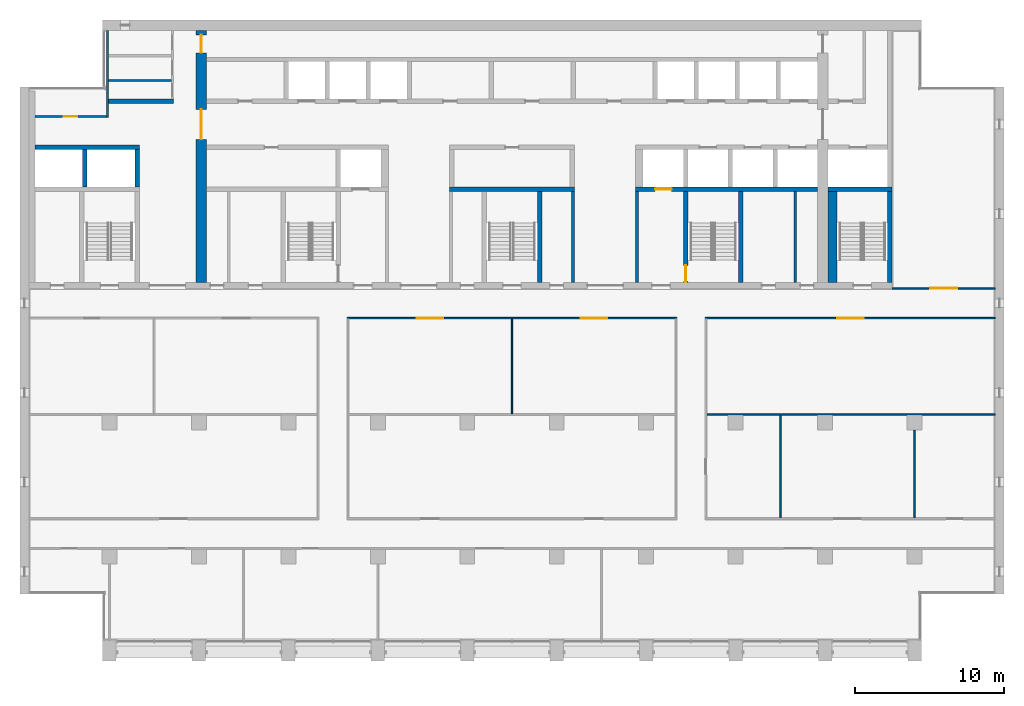
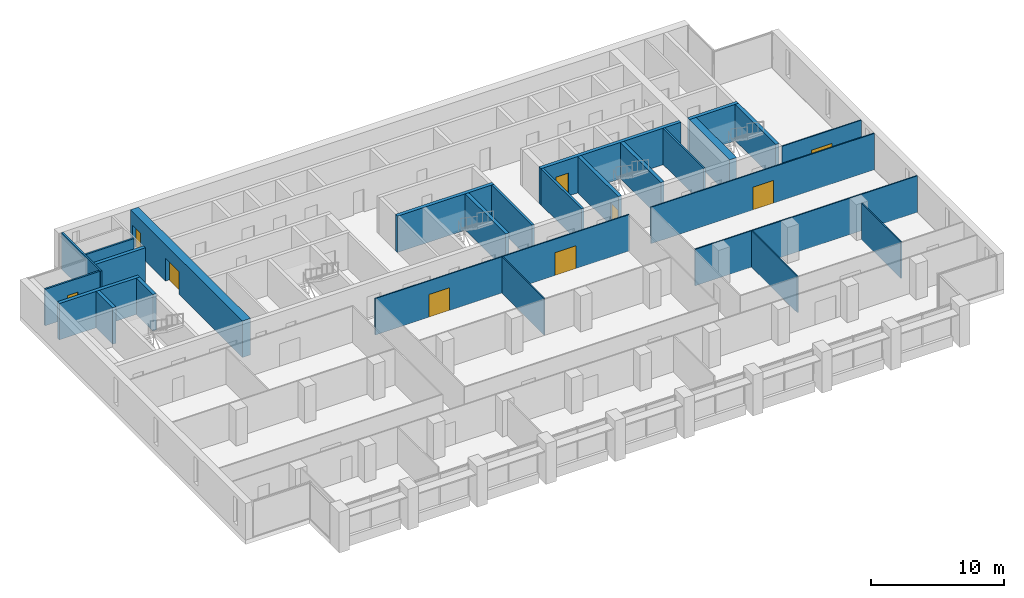
# One storey, part 10 of 17: 26 walls, 9 doors, 9 openings.
"""IFC4 building model written with IfcOpenShell, lengths in metres."""

from ifc_helpers import new_model, si_unit, direction, frame, frame_2d, origin, place, context, subcontext, project, spatial, rectangle, extrude, material, layer, layer_set, type_object, element, fill, save


model = new_model("IFC4")

# Units and contexts
model_context = context("Model", 3, precision=1e-05, world=origin(), true_north=direction((0.0, 1.0)))
body_context = subcontext(model_context, "Body", "Model", "MODEL_VIEW")
ifc_project = project(units=[si_unit("LENGTHUNIT", "METRE"), si_unit("AREAUNIT", "SQUARE_METRE"), si_unit("VOLUMEUNIT", "CUBIC_METRE"), si_unit("PLANEANGLEUNIT", "RADIAN"), si_unit("MASSUNIT", "GRAM", prefix="KILO")], contexts=[model_context])

# Site, building, storey
site_placement = place(None, origin())
site = spatial("IfcSite", under=ifc_project, at=site_placement, CompositionType="ELEMENT")
building_placement = place(site_placement, origin())
building = spatial("IfcBuilding", under=site, at=building_placement, Name="Calvaro Tower", CompositionType="ELEMENT")
storey_placement = place(building_placement, frame((0.0, 0.0, 219.25)))
storey = spatial("IfcBuildingStorey", under=building, at=storey_placement, Name="L55", CompositionType="ELEMENT", Elevation=219.25)

# Walls
ifc_material_1 = material(Name="Blockwork partition", Category="masonry")
ifc_layer_1 = layer(ifc_material_1, 0.14990234375)
ifc_layer_set_1 = layer_set([ifc_layer_1], Name="Blockwork partition")
wall_type_1 = type_object("IfcWallType", Name="Core partition 150 EI 60", PredefinedType="PARTITIONING", material=ifc_layer_set_1)
wall_1_placement = place(storey_placement, frame((58.0, 28.39990234375, 0.0), z_axis=(0.0, 0.0, 1.0), x_axis=(0.0, 1.0, 0.0)))
element("IfcWall", 1, at=wall_1_placement, inside=storey, type_object=wall_type_1, Name="Core partition", PredefinedType="PARTITIONING", context=body_context, shape_type="SweptSolid", body=[
    extrude(rectangle(XDim=6.10009765625, YDim=0.14990234375, at=frame_2d((3.050048828125, 0.0))), origin(), (0.0, 0.0, 1.0), 3.35009765625),
])
wall_2_placement = place(storey_placement, frame((11.949951171875, 41.949951171875, 0.0), z_axis=(0.0, 0.0, 1.0), x_axis=(1.0, 0.0, 0.0)))
element("IfcWall", 2, at=wall_2_placement, inside=storey, type_object=wall_type_1, Name="Core partition", PredefinedType="PARTITIONING", context=body_context, shape_type="SweptSolid", body=[
    extrude(rectangle(XDim=4.199951171875, YDim=0.14990234375, at=frame_2d((2.10009765625, 0.0))), origin(), (0.0, 0.0, 1.0), 3.35009765625),
])
ifc_material_2 = material(Name="Blockwork partition", Category="masonry")
ifc_layer_2 = layer(ifc_material_2, 0.14990234375)
ifc_layer_set_2 = layer_set([ifc_layer_2], Name="Blockwork partition")
wall_type_2 = type_object("IfcWallType", Name="Core partition 150 REI 120", PredefinedType="PARTITIONING", material=ifc_layer_set_2)
wall_3_placement = place(storey_placement, frame((11.875, 39.449951171875, 0.0), z_axis=(0.0, 0.0, 1.0), x_axis=(0.0, 1.0, 0.0)))
element("IfcWall", 3, at=wall_3_placement, inside=storey, type_object=wall_type_2, Name="Core partition", PredefinedType="PARTITIONING", context=body_context, shape_type="SweptSolid", body=[
    extrude(rectangle(XDim=5.85009765625, YDim=0.14990234375, at=frame_2d((2.925048828125, 0.0))), origin(), (0.0, 0.0, 1.0), 3.35009765625),
])

# Wall, opening, door
wall_4_placement = place(storey_placement, frame((7.0, 39.52490234375, 0.0), z_axis=(0.0, 0.0, 1.0), x_axis=(1.0, 0.0, 0.0)))
wall_4 = element("IfcWall", 4, at=wall_4_placement, inside=storey, type_object=wall_type_2, Name="Core partition", PredefinedType="PARTITIONING", context=body_context, shape_type="SweptSolid", body=[
    extrude(rectangle(XDim=4.800048828125, YDim=0.14990234375, at=frame_2d((2.39990234375, 0.0))), origin(), (0.0, 0.0, 1.0), 3.35009765625),
])
opening_1_placement = place(wall_4_placement, frame((1.949951171875, 0.0, 0.0)))
opening_1 = element("IfcOpeningElement", 5, at=opening_1_placement, cuts=wall_4, Name="Opening RD9", PredefinedType="OPENING", context=body_context, shape_type="SweptSolid", body=[
    extrude(rectangle(XDim=0.89990234375, YDim=2.10009765625, at=frame_2d((0.449951171875, 1.050048828125))), frame((0.0, 0.0849609375, 0.0), z_axis=(0.0, -1.0, 0.0), x_axis=(1.0, 0.0, 0.0)), (0.0, 0.0, 1.0), 0.169921875),
])
ifc_material_3 = material(Name="Steel door set", Category="steel")
door_type_1 = type_object("IfcDoorType", Name="Room door 900", OperationType="SINGLE_SWING_LEFT", PredefinedType="DOOR", material=ifc_material_3)
door_1_placement = place(opening_1_placement, origin())
door_1 = element("IfcDoor", 6, at=door_1_placement, inside=storey, type_object=door_type_1, Name="Room door", OperationType="SINGLE_SWING_LEFT", OverallHeight=2.10009765625, OverallWidth=0.89990234375, PredefinedType="DOOR", context=body_context, shape_type="SweptSolid", body=[
    extrude(rectangle(XDim=0.89990234375, YDim=2.10009765625, at=frame_2d((0.449951171875, 1.050048828125))), frame((0.0, 0.02490234375, 0.0), z_axis=(0.0, -1.0, 0.0), x_axis=(1.0, 0.0, 0.0)), (0.0, 0.0, 1.0), 0.050048828125),
])
fill(opening_1, door_1)

# Walls
ifc_material_4 = material(Name="Blockwork partition", Category="masonry")
ifc_layer_3 = layer(ifc_material_4, 0.199951171875)
ifc_layer_set_3 = layer_set([ifc_layer_3], Name="Blockwork partition")
wall_type_3 = type_object("IfcWallType", Name="Core partition 200 REI 120", PredefinedType="PARTITIONING", material=ifc_layer_set_3)
for number, where, z_axis, x_axis, name in (
    (7, (43.10009765625, 28.39990234375, 0.0), (0.0, 0.0, 1.0), (0.0, 1.0, 0.0), "Core partition"),
    (8, (47.39990234375, 28.39990234375, 0.0), (0.0, 0.0, 1.0), (0.0, 1.0, 0.0), "Core partition"),
):
    element("IfcWall", number, at=place(storey_placement, frame(where, z_axis=z_axis, x_axis=x_axis)), inside=storey, type_object=wall_type_3, Name=name, PredefinedType="PARTITIONING", context=body_context, shape_type="SweptSolid", body=[
        extrude(rectangle(XDim=6.10009765625, YDim=0.199951171875, at=frame_2d((3.050048828125, 0.0))), origin(), (0.0, 0.0, 1.0), 3.35009765625),
    ])
ifc_material_5 = material(Name="Blockwork partition", Category="masonry")
ifc_layer_4 = layer(ifc_material_5, 0.300048828125)
ifc_layer_set_4 = layer_set([ifc_layer_4], Name="Blockwork partition")
wall_type_4 = type_object("IfcWallType", Name="Core partition 300 REI 120", PredefinedType="PARTITIONING", material=ifc_layer_set_4)
wall_5_placement = place(storey_placement, frame((11.949951171875, 40.550048828125, 0.0), z_axis=(0.0, 0.0, 1.0), x_axis=(1.0, 0.0, 0.0)))
element("IfcWall", 9, at=wall_5_placement, inside=storey, type_object=wall_type_4, Name="Core partition", PredefinedType="PARTITIONING", context=body_context, shape_type="SweptSolid", body=[
    extrude(rectangle(XDim=4.35009765625, YDim=0.300048828125, at=frame_2d((2.175048828125, 0.0))), origin(), (0.0, 0.0, 1.0), 3.35009765625),
])
ifc_material_6 = material(Name="Concrete C50/60", Category="concrete")
ifc_layer_5 = layer(ifc_material_6, 0.300048828125)
ifc_layer_set_5 = layer_set([ifc_layer_5], Name="Concrete C50/60")
wall_type_5 = type_object("IfcWallType", Name="Core wall C50/60 300", PredefinedType="SHEAR", material=ifc_layer_set_5)
wall_6_placement = place(storey_placement, frame((40.85009765625, 28.39990234375, 0.0), z_axis=(0.0, 0.0, 1.0), x_axis=(0.0, 1.0, 0.0)))
element("IfcWall", 10, at=wall_6_placement, inside=storey, type_object=wall_type_5, Name="Core wall, stair enclosure", PredefinedType="SHEAR", context=body_context, shape_type="SweptSolid", body=[
    extrude(rectangle(XDim=6.10009765625, YDim=0.300048828125, at=frame_2d((3.050048828125, 0.0))), origin(), (0.0, 0.0, 1.0), 3.35009765625),
])

# Wall, opening, door
wall_7_placement = place(storey_placement, frame((50.64990234375, 34.5, 0.0), z_axis=(0.0, 0.0, 1.0), x_axis=(0.0, -1.0, 0.0)))
wall_7 = element("IfcWall", 11, at=wall_7_placement, inside=storey, type_object=wall_type_5, Name="Core wall, stair enclosure", PredefinedType="SHEAR", context=body_context, shape_type="SweptSolid", body=[
    extrude(rectangle(XDim=6.10009765625, YDim=0.300048828125, at=frame_2d((3.050048828125, 0.0))), origin(), (0.0, 0.0, 1.0), 3.35009765625),
])
opening_2_placement = place(wall_7_placement, frame((4.949951171875, 0.0, 0.0)))
opening_2 = element("IfcOpeningElement", 12, at=opening_2_placement, cuts=wall_7, Name="Opening FD11D", PredefinedType="OPENING", context=body_context, shape_type="SweptSolid", body=[
    extrude(rectangle(XDim=1.10009765625, YDim=2.10009765625, at=frame_2d((0.550048828125, 1.050048828125))), frame((0.0, 0.159912109375, 0.0), z_axis=(0.0, -1.0, 0.0), x_axis=(1.0, 0.0, 0.0)), (0.0, 0.0, 1.0), 0.320068359375),
])
ifc_material_7 = material(Name="Steel door set", Category="steel")
door_type_2 = type_object("IfcDoorType", Name="Fire door 1100 FD30S", OperationType="SINGLE_SWING_LEFT", PredefinedType="DOOR", material=ifc_material_7)
door_2_placement = place(opening_2_placement, origin())
door_2 = element("IfcDoor", 13, at=door_2_placement, inside=storey, type_object=door_type_2, Name="Fire door", OperationType="SINGLE_SWING_RIGHT", OverallHeight=2.10009765625, OverallWidth=1.10009765625, PredefinedType="DOOR", context=body_context, shape_type="SweptSolid", body=[
    extrude(rectangle(XDim=1.10009765625, YDim=2.10009765625, at=frame_2d((0.550048828125, 1.050048828125))), frame((0.0, 0.02490234375, 0.0), z_axis=(0.0, -1.0, 0.0), x_axis=(1.0, 0.0, 0.0)), (0.0, 0.0, 1.0), 0.050048828125),
])
fill(opening_2, door_2)

# Walls
for number, where, z_axis, x_axis, name in (
    (14, (54.35009765625, 28.39990234375, 0.0), (0.0, 0.0, 1.0), (0.0, 1.0, 0.0), "Core wall, stair enclosure"),
    (15, (64.35009765625, 28.39990234375, 0.0), (0.0, 0.0, 1.0), (0.0, 1.0, 0.0), "Core wall, stair enclosure"),
):
    element("IfcWall", number, at=place(storey_placement, frame(where, z_axis=z_axis, x_axis=x_axis)), inside=storey, type_object=wall_type_5, Name=name, PredefinedType="SHEAR", context=body_context, shape_type="SweptSolid", body=[
        extrude(rectangle(XDim=6.10009765625, YDim=0.300048828125, at=frame_2d((3.050048828125, 0.0))), origin(), (0.0, 0.0, 1.0), 3.35009765625),
    ])
wall_8_placement = place(storey_placement, frame((34.800048828125, 34.64990234375, 0.0), z_axis=(0.0, 0.0, 1.0), x_axis=(1.0, 0.0, 0.0)))
element("IfcWall", 16, at=wall_8_placement, inside=storey, type_object=wall_type_5, Name="Core wall, lift shaft", PredefinedType="SHEAR", context=body_context, shape_type="SweptSolid", body=[
    extrude(rectangle(XDim=8.39990234375, YDim=0.300048828125, at=frame_2d((4.199951171875, 0.0))), origin(), (0.0, 0.0, 1.0), 3.35009765625),
])

# Wall, opening, door
wall_9_placement = place(storey_placement, frame((47.300048828125, 34.64990234375, 0.0), z_axis=(0.0, 0.0, 1.0), x_axis=(1.0, 0.0, 0.0)))
wall_9 = element("IfcWall", 17, at=wall_9_placement, inside=storey, type_object=wall_type_5, Name="Core wall, lift shaft", PredefinedType="SHEAR", context=body_context, shape_type="SweptSolid", body=[
    extrude(rectangle(XDim=12.199951171875, YDim=0.300048828125, at=frame_2d((6.10009765625, 0.0))), origin(), (0.0, 0.0, 1.0), 3.35009765625),
])
opening_3_placement = place(wall_9_placement, frame((1.300048828125, 0.0, 0.0)))
opening_3 = element("IfcOpeningElement", 18, at=opening_3_placement, cuts=wall_9, Name="Opening FF2", PredefinedType="OPENING", context=body_context, shape_type="SweptSolid", body=[
    extrude(rectangle(XDim=1.10009765625, YDim=2.10009765625, at=frame_2d((0.550048828125, 1.050048828125))), frame((0.0, 0.159912109375, 0.0), z_axis=(0.0, -1.0, 0.0), x_axis=(1.0, 0.0, 0.0)), (0.0, 0.0, 1.0), 0.320068359375),
])
ifc_material_8 = material(Name="Stainless steel", Category="steel")
door_type_3 = type_object("IfcDoorType", Name="Landing door 1100 E 60", OperationType="SLIDING_TO_LEFT", PredefinedType="DOOR", material=ifc_material_8)
door_3_placement = place(opening_3_placement, origin())
door_3 = element("IfcDoor", 19, at=door_3_placement, inside=storey, type_object=door_type_3, Name="Landing door FF2", OperationType="SLIDING_TO_LEFT", OverallHeight=2.10009765625, OverallWidth=1.10009765625, PredefinedType="DOOR", context=body_context, shape_type="SweptSolid", body=[
    extrude(rectangle(XDim=1.10009765625, YDim=2.10009765625, at=frame_2d((0.550048828125, 1.050048828125))), frame((0.0, 0.02490234375, 0.0), z_axis=(0.0, -1.0, 0.0), x_axis=(1.0, 0.0, 0.0)), (0.0, 0.0, 1.0), 0.050048828125),
])
fill(opening_3, door_3)

# Walls
wall_10_placement = place(storey_placement, frame((60.199951171875, 34.64990234375, 0.0), z_axis=(0.0, 0.0, 1.0), x_axis=(1.0, 0.0, 0.0)))
element("IfcWall", 20, at=wall_10_placement, inside=storey, type_object=wall_type_5, Name="Core wall, lift shaft", PredefinedType="SHEAR", context=body_context, shape_type="SweptSolid", body=[
    extrude(rectangle(XDim=4.300048828125, YDim=0.300048828125, at=frame_2d((2.14990234375, 0.0))), origin(), (0.0, 0.0, 1.0), 3.35009765625),
])
wall_11_placement = place(storey_placement, frame((7.0, 37.449951171875, 0.0), z_axis=(0.0, 0.0, 1.0), x_axis=(1.0, 0.0, 0.0)))
element("IfcWall", 21, at=wall_11_placement, inside=storey, type_object=wall_type_5, Name="Core wall, lift shaft", PredefinedType="SHEAR", context=body_context, shape_type="SweptSolid", body=[
    extrude(rectangle(XDim=7.0, YDim=0.300048828125, at=frame_2d((3.5, 0.0))), origin(), (0.0, 0.0, 1.0), 3.35009765625),
])
for number, where, z_axis, x_axis, name in (
    (22, (13.85009765625, 34.800048828125, 0.0), (0.0, 0.0, 1.0), (0.0, 1.0, 0.0), "Core wall, lift shaft"),
    (23, (10.35009765625, 34.800048828125, 0.0), (0.0, 0.0, 1.0), (0.0, 1.0, 0.0), "Core wall, lift shaft"),
):
    element("IfcWall", number, at=place(storey_placement, frame(where, z_axis=z_axis, x_axis=x_axis)), inside=storey, type_object=wall_type_5, Name=name, PredefinedType="SHEAR", context=body_context, shape_type="SweptSolid", body=[
        extrude(rectangle(XDim=2.5, YDim=0.300048828125, at=frame_2d((1.25, 0.0))), origin(), (0.0, 0.0, 1.0), 3.35009765625),
    ])
ifc_material_9 = material(Name="Concrete C50/60", Category="concrete")
ifc_layer_6 = layer(ifc_material_9, 0.60009765625)
ifc_layer_set_6 = layer_set([ifc_layer_6], Name="Concrete C50/60")
wall_type_6 = type_object("IfcWallType", Name="Core wall C50/60 600", PredefinedType="SHEAR", material=ifc_layer_set_6)
wall_12_placement = place(storey_placement, frame((60.5, 28.39990234375, 0.0), z_axis=(0.0, 0.0, 1.0), x_axis=(0.0, 1.0, 0.0)))
element("IfcWall", 24, at=wall_12_placement, inside=storey, type_object=wall_type_6, Name="Core wall, stair enclosure", PredefinedType="SHEAR", context=body_context, shape_type="SweptSolid", body=[
    extrude(rectangle(XDim=6.10009765625, YDim=0.60009765625, at=frame_2d((3.050048828125, 0.0))), origin(), (0.0, 0.0, 1.0), 3.35009765625),
])

# Wall, openings, doors
ifc_material_10 = material(Name="Concrete C50/60", Category="concrete")
ifc_layer_7 = layer(ifc_material_10, 0.699951171875)
ifc_layer_set_7 = layer_set([ifc_layer_7], Name="Concrete C50/60")
wall_type_7 = type_object("IfcWallType", Name="Core wall C50/60 700", PredefinedType="SHEAR", material=ifc_layer_set_7)
wall_13_placement = place(storey_placement, frame((18.14990234375, 28.39990234375, 0.0), z_axis=(0.0, 0.0, 1.0), x_axis=(0.0, 1.0, 0.0)))
wall_13 = element("IfcWall", 25, at=wall_13_placement, inside=storey, type_object=wall_type_7, Name="Core wall, cross shear wall", PredefinedType="SHEAR", context=body_context, shape_type="SweptSolid", body=[
    extrude(rectangle(XDim=16.900146484375, YDim=0.699951171875, at=frame_2d((8.4501953125, 0.0))), origin(), (0.0, 0.0, 1.0), 3.35009765625),
])
opening_4_placement = place(wall_13_placement, frame((9.60009765625, 0.0, 0.0)))
opening_4 = element("IfcOpeningElement", 26, at=opening_4_placement, cuts=wall_13, Name="Opening DD20D", PredefinedType="OPENING", context=body_context, shape_type="SweptSolid", body=[
    extrude(rectangle(XDim=2.0, YDim=2.10009765625, at=frame_2d((1.0, 1.050048828125))), frame((0.0, 0.35986328125, 0.0), z_axis=(0.0, -1.0, 0.0), x_axis=(1.0, 0.0, 0.0)), (0.0, 0.0, 1.0), 0.719970703125),
])
opening_5_placement = place(wall_13_placement, frame((15.39990234375, 0.0, 0.0)))
opening_5 = element("IfcOpeningElement", 27, at=opening_5_placement, cuts=wall_13, Name="Opening FD12C", PredefinedType="OPENING", context=body_context, shape_type="SweptSolid", body=[
    extrude(rectangle(XDim=1.199951171875, YDim=2.10009765625, at=frame_2d((0.60009765625, 1.050048828125))), frame((0.0, 0.35986328125, 0.0), z_axis=(0.0, -1.0, 0.0), x_axis=(1.0, 0.0, 0.0)), (0.0, 0.0, 1.0), 0.719970703125),
])
ifc_material_11 = material(Name="Steel door set", Category="steel")
door_type_4 = type_object("IfcDoorType", Name="Fire door 1200 FD30", OperationType="SINGLE_SWING_LEFT", PredefinedType="DOOR", material=ifc_material_11)
door_4_placement = place(opening_5_placement, origin())
door_4 = element("IfcDoor", 28, at=door_4_placement, inside=storey, type_object=door_type_4, Name="Fire door", OperationType="SINGLE_SWING_LEFT", OverallHeight=2.10009765625, OverallWidth=1.199951171875, PredefinedType="DOOR", context=body_context, shape_type="SweptSolid", body=[
    extrude(rectangle(XDim=1.199951171875, YDim=2.10009765625, at=frame_2d((0.60009765625, 1.050048828125))), frame((0.0, 0.02490234375, 0.0), z_axis=(0.0, -1.0, 0.0), x_axis=(1.0, 0.0, 0.0)), (0.0, 0.0, 1.0), 0.050048828125),
])
fill(opening_5, door_4)
ifc_material_12 = material(Name="Steel door set", Category="steel")
door_type_5 = type_object("IfcDoorType", Name="Lobby double door 2000 FD30S", OperationType="DOUBLE_DOOR_SINGLE_SWING", PredefinedType="DOOR", material=ifc_material_12)
door_5_placement = place(opening_4_placement, origin())
door_5 = element("IfcDoor", 29, at=door_5_placement, inside=storey, type_object=door_type_5, Name="Lobby double door", OperationType="DOUBLE_DOOR_SINGLE_SWING", OverallHeight=2.10009765625, OverallWidth=2.0, PredefinedType="DOOR", context=body_context, shape_type="SweptSolid", body=[
    extrude(rectangle(XDim=2.0, YDim=2.10009765625, at=frame_2d((1.0, 1.050048828125))), frame((0.0, 0.02490234375, 0.0), z_axis=(0.0, -1.0, 0.0), x_axis=(1.0, 0.0, 0.0)), (0.0, 0.0, 1.0), 0.050048828125),
])
fill(opening_4, door_5)

# Wall
ifc_material_13 = material(Name="Plasterboard on steel studs", Category="steel")
ifc_layer_8 = layer(ifc_material_13, 0.10009765625)
ifc_layer_set_8 = layer_set([ifc_layer_8], Name="Plasterboard on steel studs")
wall_type_8 = type_object("IfcWallType", Name="Partition 100", PredefinedType="PARTITIONING", material=ifc_layer_set_8)
wall_14_placement = place(storey_placement, frame((52.050048828125, 19.550048828125, 0.0), z_axis=(0.0, 0.0, 1.0), x_axis=(1.0, 0.0, 0.0)))
element("IfcWall", 30, at=wall_14_placement, inside=storey, type_object=wall_type_8, Name="Partition T31.W007", PredefinedType="PARTITIONING", context=body_context, shape_type="SweptSolid", body=[
    extrude(rectangle(XDim=19.349853515625, YDim=0.10009765625, at=frame_2d((9.6748046875, 0.0))), origin(), (0.0, 0.0, 1.0), 3.35009765625),
])

# Wall, openings, doors
wall_15_placement = place(storey_placement, frame((27.949951171875, 26.0, 0.0), z_axis=(0.0, 0.0, 1.0), x_axis=(1.0, 0.0, 0.0)))
wall_15 = element("IfcWall", 31, at=wall_15_placement, inside=storey, type_object=wall_type_8, Name="Partition T31.W009", PredefinedType="PARTITIONING", context=body_context, shape_type="SweptSolid", body=[
    extrude(rectangle(XDim=22.10009765625, YDim=0.10009765625, at=frame_2d((11.050048828125, 0.0))), origin(), (0.0, 0.0, 1.0), 3.35009765625),
])
opening_6_placement = place(wall_15_placement, frame((4.64990234375, 0.0, 0.0)))
opening_6 = element("IfcOpeningElement", 32, at=opening_6_placement, cuts=wall_15, Name="Opening T31.014", PredefinedType="OPENING", context=body_context, shape_type="SweptSolid", body=[
    extrude(rectangle(XDim=1.800048828125, YDim=2.10009765625, at=frame_2d((0.89990234375, 1.050048828125))), frame((0.0, 0.06005859375, 0.0), z_axis=(0.0, -1.0, 0.0), x_axis=(1.0, 0.0, 0.0)), (0.0, 0.0, 1.0), 0.1201171875),
])
opening_7_placement = place(wall_15_placement, frame((15.64990234375, 0.0, 0.0)))
opening_7 = element("IfcOpeningElement", 33, at=opening_7_placement, cuts=wall_15, Name="Opening T31.015", PredefinedType="OPENING", context=body_context, shape_type="SweptSolid", body=[
    extrude(rectangle(XDim=1.800048828125, YDim=2.10009765625, at=frame_2d((0.89990234375, 1.050048828125))), frame((0.0, 0.06005859375, 0.0), z_axis=(0.0, -1.0, 0.0), x_axis=(1.0, 0.0, 0.0)), (0.0, 0.0, 1.0), 0.1201171875),
])
ifc_material_14 = material(Name="Timber", Category="wood")
door_type_6 = type_object("IfcDoorType", Name="Internal double door 1800 x 2100", OperationType="DOUBLE_DOOR_SINGLE_SWING", PredefinedType="DOOR", material=ifc_material_14)
door_6_placement = place(opening_6_placement, origin())
door_6 = element("IfcDoor", 34, at=door_6_placement, inside=storey, type_object=door_type_6, Name="Door T31.014", OperationType="DOUBLE_DOOR_SINGLE_SWING", OverallHeight=2.10009765625, OverallWidth=1.800048828125, PredefinedType="DOOR", context=body_context, shape_type="SweptSolid", body=[
    extrude(rectangle(XDim=1.800048828125, YDim=2.10009765625, at=frame_2d((0.89990234375, 1.050048828125))), frame((0.0, 0.02490234375, 0.0), z_axis=(0.0, -1.0, 0.0), x_axis=(1.0, 0.0, 0.0)), (0.0, 0.0, 1.0), 0.050048828125),
])
fill(opening_6, door_6)
door_7_placement = place(opening_7_placement, origin())
door_7 = element("IfcDoor", 35, at=door_7_placement, inside=storey, type_object=door_type_6, Name="Door T31.015", OperationType="DOUBLE_DOOR_SINGLE_SWING", OverallHeight=2.10009765625, OverallWidth=1.800048828125, PredefinedType="DOOR", context=body_context, shape_type="SweptSolid", body=[
    extrude(rectangle(XDim=1.800048828125, YDim=2.10009765625, at=frame_2d((0.89990234375, 1.050048828125))), frame((0.0, 0.02490234375, 0.0), z_axis=(0.0, -1.0, 0.0), x_axis=(1.0, 0.0, 0.0)), (0.0, 0.0, 1.0), 0.050048828125),
])
fill(opening_7, door_7)

# Wall, opening, door
wall_16_placement = place(storey_placement, frame((51.949951171875, 26.0, 0.0), z_axis=(0.0, 0.0, 1.0), x_axis=(1.0, 0.0, 0.0)))
wall_16 = element("IfcWall", 36, at=wall_16_placement, inside=storey, type_object=wall_type_8, Name="Partition T31.W010", PredefinedType="PARTITIONING", context=body_context, shape_type="SweptSolid", body=[
    extrude(rectangle(XDim=19.449951171875, YDim=0.10009765625, at=frame_2d((9.72509765625, 0.0))), origin(), (0.0, 0.0, 1.0), 3.35009765625),
])
opening_8_placement = place(wall_16_placement, frame((8.85009765625, 0.0, 0.0)))
opening_8 = element("IfcOpeningElement", 37, at=opening_8_placement, cuts=wall_16, Name="Opening T31.016", PredefinedType="OPENING", context=body_context, shape_type="SweptSolid", body=[
    extrude(rectangle(XDim=1.800048828125, YDim=2.10009765625, at=frame_2d((0.89990234375, 1.050048828125))), frame((0.0, 0.06005859375, 0.0), z_axis=(0.0, -1.0, 0.0), x_axis=(1.0, 0.0, 0.0)), (0.0, 0.0, 1.0), 0.1201171875),
])
door_8_placement = place(opening_8_placement, origin())
door_8 = element("IfcDoor", 38, at=door_8_placement, inside=storey, type_object=door_type_6, Name="Door T31.016", OperationType="DOUBLE_DOOR_SINGLE_SWING", OverallHeight=2.10009765625, OverallWidth=1.800048828125, PredefinedType="DOOR", context=body_context, shape_type="SweptSolid", body=[
    extrude(rectangle(XDim=1.800048828125, YDim=2.10009765625, at=frame_2d((0.89990234375, 1.050048828125))), frame((0.0, 0.02490234375, 0.0), z_axis=(0.0, -1.0, 0.0), x_axis=(1.0, 0.0, 0.0)), (0.0, 0.0, 1.0), 0.050048828125),
])
fill(opening_8, door_8)

wall_17_placement = place(storey_placement, frame((64.5, 28.0, 0.0), z_axis=(0.0, 0.0, 1.0), x_axis=(1.0, 0.0, 0.0)))
wall_17 = element("IfcWall", 39, at=wall_17_placement, inside=storey, type_object=wall_type_8, Name="Partition T31.W011", PredefinedType="PARTITIONING", context=body_context, shape_type="SweptSolid", body=[
    extrude(rectangle(XDim=6.89990234375, YDim=0.10009765625, at=frame_2d((3.449951171875, 0.0))), origin(), (0.0, 0.0, 1.0), 3.35009765625),
])
opening_9_placement = place(wall_17_placement, frame((2.550048828125, 0.0, 0.0)))
opening_9 = element("IfcOpeningElement", 40, at=opening_9_placement, cuts=wall_17, Name="Opening T31.017", PredefinedType="OPENING", context=body_context, shape_type="SweptSolid", body=[
    extrude(rectangle(XDim=1.800048828125, YDim=2.10009765625, at=frame_2d((0.89990234375, 1.050048828125))), frame((0.0, 0.06005859375, 0.0), z_axis=(0.0, -1.0, 0.0), x_axis=(1.0, 0.0, 0.0)), (0.0, 0.0, 1.0), 0.1201171875),
])
door_9_placement = place(opening_9_placement, origin())
door_9 = element("IfcDoor", 41, at=door_9_placement, inside=storey, type_object=door_type_6, Name="Door T31.017", OperationType="DOUBLE_DOOR_SINGLE_SWING", OverallHeight=2.10009765625, OverallWidth=1.800048828125, PredefinedType="DOOR", context=body_context, shape_type="SweptSolid", body=[
    extrude(rectangle(XDim=1.800048828125, YDim=2.10009765625, at=frame_2d((0.89990234375, 1.050048828125))), frame((0.0, 0.02490234375, 0.0), z_axis=(0.0, -1.0, 0.0), x_axis=(1.0, 0.0, 0.0)), (0.0, 0.0, 1.0), 0.050048828125),
])
fill(opening_9, door_9)

# Walls
wall_18_placement = place(storey_placement, frame((39.0, 19.60009765625, 0.0), z_axis=(0.0, 0.0, 1.0), x_axis=(0.0, 1.0, 0.0)))
element("IfcWall", 42, at=wall_18_placement, inside=storey, type_object=wall_type_8, Name="Partition T31.W018", PredefinedType="PARTITIONING", context=body_context, shape_type="SweptSolid", body=[
    extrude(rectangle(XDim=6.349853515625, YDim=0.10009765625, at=frame_2d((3.1748046875, 0.0))), origin(), (0.0, 0.0, 1.0), 3.35009765625),
])
wall_19_placement = place(storey_placement, frame((57.0, 12.60009765625, 0.0), z_axis=(0.0, 0.0, 1.0), x_axis=(0.0, 1.0, 0.0)))
element("IfcWall", 43, at=wall_19_placement, inside=storey, type_object=wall_type_8, Name="Partition T31.W022", PredefinedType="PARTITIONING", context=body_context, shape_type="SweptSolid", body=[
    extrude(rectangle(XDim=6.89990234375, YDim=0.10009765625, at=frame_2d((3.449951171875, 0.0))), origin(), (0.0, 0.0, 1.0), 3.35009765625),
])
wall_20_placement = place(storey_placement, frame((66.0, 12.60009765625, 0.0), z_axis=(0.0, 0.0, 1.0), x_axis=(0.0, 1.0, 0.0)))
element("IfcWall", 44, at=wall_20_placement, inside=storey, type_object=wall_type_8, Name="Partition T31.W023", PredefinedType="PARTITIONING", context=body_context, shape_type="SweptSolid", body=[
    extrude(rectangle(XDim=5.89990234375, YDim=0.10009765625, at=frame_2d((2.949951171875, 0.0))), origin(), (0.0, 0.0, 1.0), 3.35009765625),
])

save(model, "model.ifc")
